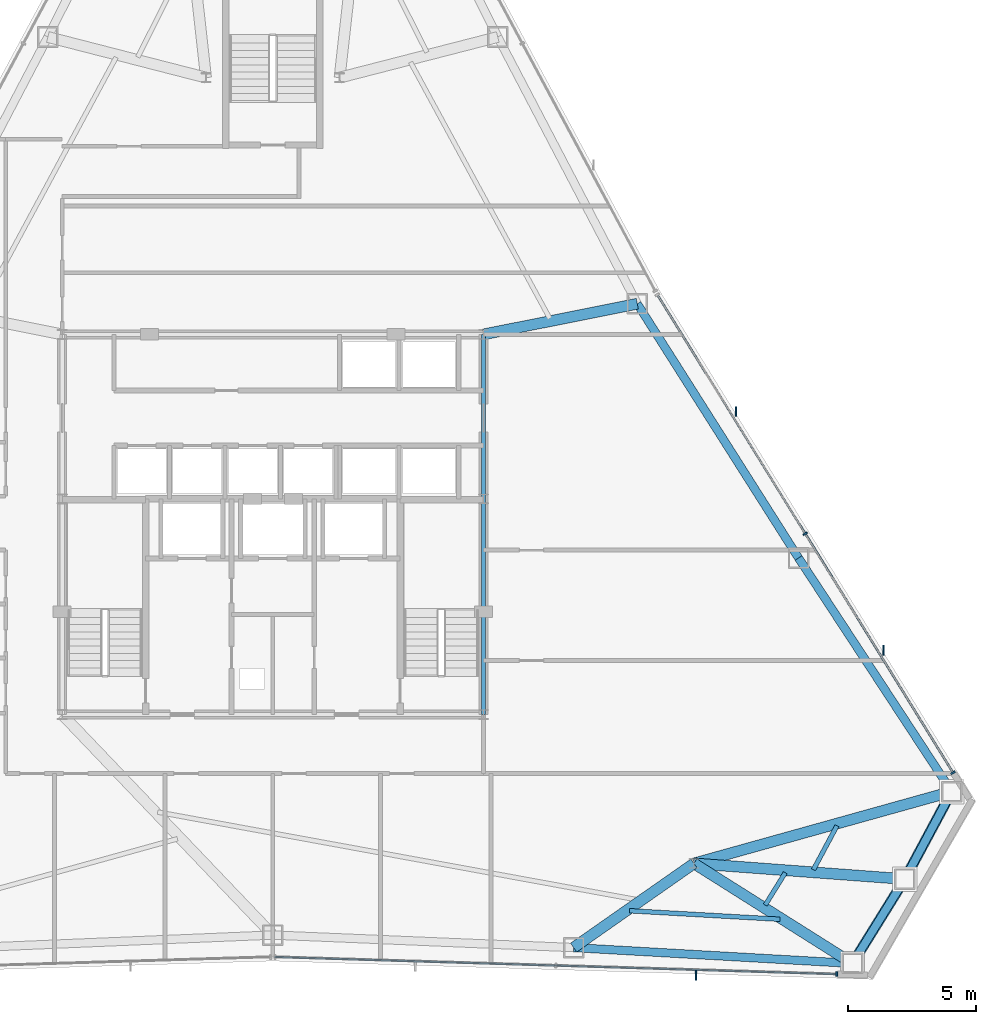
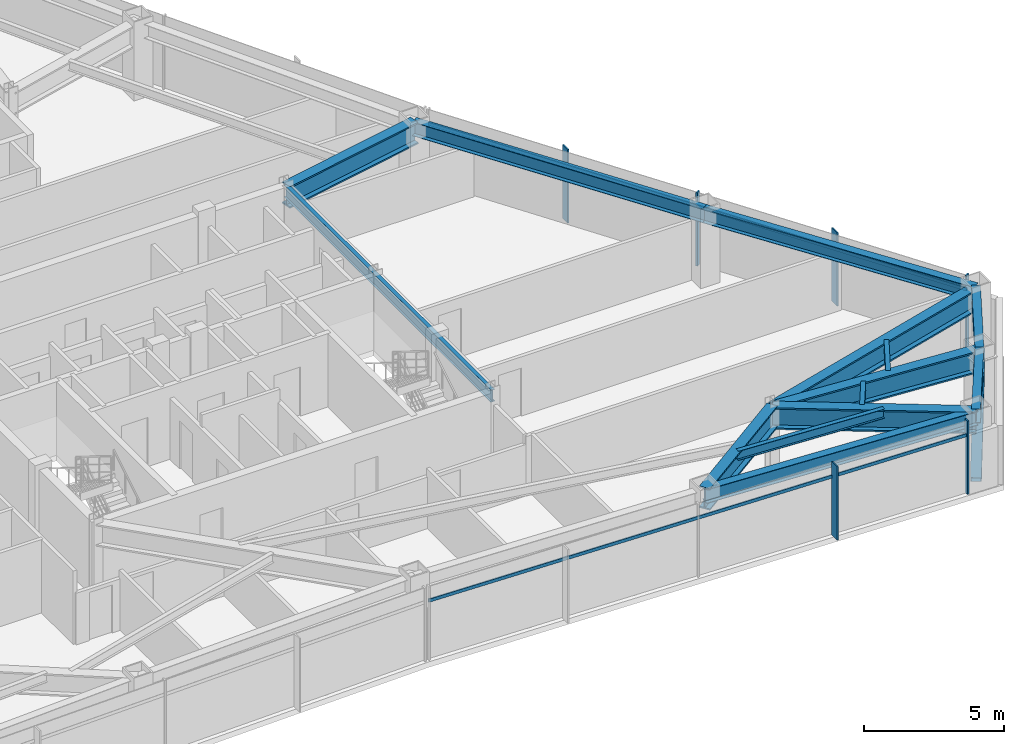
# One storey, part 7 of 13: 14 beams, 10 members, 2 elements without a shape of their own.
"""IFC4 building model written with IfcOpenShell, lengths in metres."""

from ifc_helpers import new_model, si_unit, direction, frame, origin, origin_2d, place, context, subcontext, project, spatial, rectangle, hollow_rectangle, i_section, extrude, source, transform, mapped, material, layer, layer_set, material_profile, profile_set, type_object, type_shapes, element, aggregate, save


model = new_model("IFC4")

# Units and contexts
model_context = context("Model", 3, precision=1e-05, world=origin(), true_north=direction((0.0, 1.0)))
body_context = subcontext(model_context, "Body", "Model", "MODEL_VIEW")
ifc_project = project(units=[si_unit("LENGTHUNIT", "METRE"), si_unit("AREAUNIT", "SQUARE_METRE"), si_unit("VOLUMEUNIT", "CUBIC_METRE"), si_unit("PLANEANGLEUNIT", "RADIAN"), si_unit("MASSUNIT", "GRAM", prefix="KILO")], contexts=[model_context])

# Site, building, storey
site_placement = place(None, origin())
site = spatial("IfcSite", under=ifc_project, at=site_placement, CompositionType="ELEMENT")
building_placement = place(site_placement, origin())
building = spatial("IfcBuilding", under=site, at=building_placement, Name="Varakhsha Concourse Tower", CompositionType="ELEMENT")
storey_placement = place(building_placement, frame((0.0, 0.0, 162.0)))
storey = spatial("IfcBuildingStorey", under=building, at=storey_placement, Name="L46", CompositionType="ELEMENT", Elevation=162.0)

# Beams
ifc_material_1 = material(Name="Structural Steel ASTM A992 Grade 50", Category="steel")
ifc_material_profile_1 = material_profile(ifc_material_1, i_section(OverallWidth=0.177978515625, OverallDepth=0.406982421875, WebThickness=0.008056640625, FlangeThickness=0.012939453125, at=origin_2d()), Name="W16X40")
ifc_profile_set_1 = profile_set([ifc_material_profile_1], Name="Structural Steel ASTM A992 Grade 50")
beam_type_1 = type_object("IfcBeamType", Name="BM-JST-W16X40", PredefinedType="JOIST", material=ifc_profile_set_1)
beam_1_placement = place(storey_placement, frame((53.885498046875, 8.758544921875, 3.006591796875), z_axis=(0.998392580352, -0.056676763308, 0.0), x_axis=(0.056676763308, 0.998392580352, 0.0)))
element("IfcBeam", 1, at=beam_1_placement, inside=storey, type_object=beam_type_1, Name="BM-TJST-L46-12", PredefinedType="JOIST", context=body_context, shape_type="SweptSolid", body=[
    extrude(i_section(OverallWidth=0.177978515625, OverallDepth=0.406982421875, WebThickness=0.008056640625, FlangeThickness=0.012939453125, at=origin_2d()), origin(), (0.0, 0.0, 1.0), 5.871337890625),
])
beam_2_placement = place(storey_placement, frame((59.17431640625, 8.980224609375, 3.006591796875), z_axis=(0.527194551397, 0.84974461162, 0.0), x_axis=(-0.84974461162, 0.527194551397, 0.0)))
element("IfcBeam", 2, at=beam_2_placement, inside=storey, type_object=beam_type_1, Name="BM-TJST-L46-13", PredefinedType="JOIST", context=body_context, shape_type="SweptSolid", body=[
    extrude(i_section(OverallWidth=0.177978515625, OverallDepth=0.406982421875, WebThickness=0.008056640625, FlangeThickness=0.012939453125, at=origin_2d()), origin(), (0.0, 0.0, 1.0), 1.48046875),
])
beam_3_placement = place(storey_placement, frame((61.05029296875, 10.355712890625, 3.006591796875), z_axis=(0.47219702385, 0.881493034951, 0.0), x_axis=(-0.881493034951, 0.47219702385, 0.0)))
element("IfcBeam", 3, at=beam_3_placement, inside=storey, type_object=beam_type_1, Name="BM-TJST-L46-14", PredefinedType="JOIST", context=body_context, shape_type="SweptSolid", body=[
    extrude(i_section(OverallWidth=0.177978515625, OverallDepth=0.406982421875, WebThickness=0.008056640625, FlangeThickness=0.012939453125, at=origin_2d()), origin(), (0.0, 0.0, 1.0), 1.944580078125),
])
ifc_material_profile_2 = material_profile(ifc_material_1, i_section(OverallWidth=0.423095703125, OverallDepth=0.947998046875, WebThickness=0.0380859375, FlangeThickness=0.06396484375, at=origin_2d()), Name="W36X302")
ifc_profile_set_2 = profile_set([ifc_material_profile_2], Name="Structural Steel ASTM A992 Grade 50")
beam_type_2 = type_object("IfcBeamType", Name="BM-OUTR-W36X302", PredefinedType="USERDEFINED", material=ifc_profile_set_2)
beam_4_placement = place(storey_placement, frame((56.39990234375, 10.60009765625, 2.736083984375), z_axis=(-0.81951662418, -0.573055409792, 0.0), x_axis=(0.573055409792, -0.81951662418, 0.0)))
element("IfcBeam", 4, at=beam_4_placement, inside=storey, type_object=beam_type_2, Name="L46 Radial Floor Girder 12", ObjectType="GIRDER", PredefinedType="USERDEFINED", context=body_context, shape_type="SweptSolid", body=[
    extrude(i_section(OverallWidth=0.423095703125, OverallDepth=0.947998046875, WebThickness=0.0380859375, FlangeThickness=0.06396484375, at=origin_2d()), origin(), (0.0, 0.0, 1.0), 5.71875),
])
beam_5_placement = place(storey_placement, frame((56.39990234375, 10.60009765625, 2.736083984375), z_axis=(0.845822577747, -0.533464307123, 0.0), x_axis=(0.533464307123, 0.845822577747, 0.0)))
element("IfcBeam", 5, at=beam_5_placement, inside=storey, type_object=beam_type_2, Name="L46 Radial Floor Girder 13", ObjectType="GIRDER", PredefinedType="USERDEFINED", context=body_context, shape_type="SweptSolid", body=[
    extrude(i_section(OverallWidth=0.423095703125, OverallDepth=0.947998046875, WebThickness=0.0380859375, FlangeThickness=0.06396484375, at=origin_2d()), origin(), (0.0, 0.0, 1.0), 7.298583984375),
])
beam_6_placement = place(storey_placement, frame((56.39990234375, 10.60009765625, 2.736083984375), z_axis=(0.99725755111, -0.074009301804, 0.0), x_axis=(0.074009301804, 0.99725755111, 0.0)))
element("IfcBeam", 6, at=beam_6_placement, inside=storey, type_object=beam_type_2, Name="L46 Radial Floor Girder 14", ObjectType="GIRDER", PredefinedType="USERDEFINED", context=body_context, shape_type="SweptSolid", body=[
    extrude(i_section(OverallWidth=0.423095703125, OverallDepth=0.947998046875, WebThickness=0.0380859375, FlangeThickness=0.06396484375, at=origin_2d()), origin(), (0.0, 0.0, 1.0), 8.233642578125),
])
beam_7_placement = place(storey_placement, frame((56.39990234375, 10.60009765625, 2.736083984375), z_axis=(0.963276818964, 0.268510279221, 0.0), x_axis=(-0.268510279221, 0.963276818964, 0.0)))
element("IfcBeam", 7, at=beam_7_placement, inside=storey, type_object=beam_type_2, Name="L46 Radial Floor Girder 15", ObjectType="GIRDER", PredefinedType="USERDEFINED", context=body_context, shape_type="SweptSolid", body=[
    extrude(i_section(OverallWidth=0.423095703125, OverallDepth=0.947998046875, WebThickness=0.0380859375, FlangeThickness=0.06396484375, at=origin_2d()), origin(), (0.0, 0.0, 1.0), 10.4189453125),
])
beam_8_placement = place(storey_placement, frame((48.199951171875, 31.199951171875, 2.736083984375), z_axis=(0.980724872564, 0.195393767391, 0.0), x_axis=(-0.195393767391, 0.980724872564, 0.0)))
element("IfcBeam", 8, at=beam_8_placement, inside=storey, type_object=beam_type_2, Name="L46 Radial Floor Girder 17", ObjectType="GIRDER", PredefinedType="USERDEFINED", context=body_context, shape_type="SweptSolid", body=[
    extrude(i_section(OverallWidth=0.423095703125, OverallDepth=0.947998046875, WebThickness=0.0380859375, FlangeThickness=0.06396484375, at=origin_2d()), origin(), (0.0, 0.0, 1.0), 6.10986328125),
])
ifc_material_profile_3 = material_profile(ifc_material_1, i_section(OverallWidth=0.1669921875, OverallDepth=0.534912109375, WebThickness=0.010009765625, FlangeThickness=0.01708984375, at=origin_2d()), Name="W21X57")
ifc_profile_set_3 = profile_set([ifc_material_profile_3], Name="Structural Steel ASTM A992 Grade 50")
beam_type_3 = type_object("IfcBeamType", Name="BM-RAD-W21X57", PredefinedType="BEAM", material=ifc_profile_set_3)
beam_9_placement = place(storey_placement, frame((48.199951171875, 16.39990234375, 2.9423828125), z_axis=(0.0, 1.0, 0.0), x_axis=(-1.0, 0.0, 0.0)))
element("IfcBeam", 9, at=beam_9_placement, inside=storey, type_object=beam_type_3, Name="BM-TCORE-L46-CE", PredefinedType="BEAM", context=body_context, shape_type="SweptSolid", body=[
    extrude(i_section(OverallWidth=0.1669921875, OverallDepth=0.534912109375, WebThickness=0.010009765625, FlangeThickness=0.01708984375, at=origin_2d()), origin(), (0.0, 0.0, 1.0), 14.800048828125),
])
ifc_material_profile_4 = material_profile(ifc_material_1, i_section(OverallWidth=0.323974609375, OverallDepth=0.611083984375, WebThickness=0.012939453125, FlangeThickness=0.01904296875, at=origin_2d()), Name="W24X104")
ifc_profile_set_4 = profile_set([ifc_material_profile_4], Name="Structural Steel ASTM A992 Grade 50")
beam_type_4 = type_object("IfcBeamType", Name="BM-SPAN-W24X104", PredefinedType="SPANDREL", material=ifc_profile_set_4)
beam_10_placement = place(storey_placement, frame((51.71337890625, 7.322998046875, 2.904541015625), z_axis=(0.998392776911, -0.056673300699, 0.0), x_axis=(0.056673300699, 0.998392776911, 0.0)))
element("IfcBeam", 10, at=beam_10_placement, inside=storey, type_object=beam_type_4, Name="BM-SPAN-L46-12", PredefinedType="SPANDREL", context=body_context, shape_type="SweptSolid", body=[
    extrude(i_section(OverallWidth=0.323974609375, OverallDepth=0.611083984375, WebThickness=0.012939453125, FlangeThickness=0.01904296875, at=origin_2d()), origin(), (0.0, 0.0, 1.0), 10.87744140625),
])
for number, where, z_axis, x_axis, name in (
    (11, (62.5732421875, 6.70654296875, 2.904541015625), (0.52724807345, 0.849711403385, 0.0), (-0.849711403385, 0.52724807345, 0.0), "BM-SPAN-L46-13"),
    (12, (64.611083984375, 9.99072265625, 2.904541015625), (0.472226671097, 0.881477152911, 0.0), (-0.881477152911, 0.472226671097, 0.0), "BM-SPAN-L46-14"),
):
    element("IfcBeam", number, at=place(storey_placement, frame(where, z_axis=z_axis, x_axis=x_axis)), inside=storey, type_object=beam_type_4, Name=name, PredefinedType="SPANDREL", context=body_context, shape_type="SweptSolid", body=[
        extrude(i_section(OverallWidth=0.323974609375, OverallDepth=0.611083984375, WebThickness=0.012939453125, FlangeThickness=0.01904296875, at=origin_2d()), origin(), (0.0, 0.0, 1.0), 3.864990234375),
    ])
beam_11_placement = place(storey_placement, frame((66.436279296875, 13.397705078125, 2.904541015625), z_axis=(-0.548266128306, 0.836303923555, 0.0), x_axis=(-0.836303923555, -0.548266128306, 0.0)))
element("IfcBeam", 13, at=beam_11_placement, inside=storey, type_object=beam_type_4, Name="BM-SPAN-L46-15", PredefinedType="SPANDREL", context=body_context, shape_type="SweptSolid", body=[
    extrude(i_section(OverallWidth=0.323974609375, OverallDepth=0.611083984375, WebThickness=0.012939453125, FlangeThickness=0.01904296875, at=origin_2d()), origin(), (0.0, 0.0, 1.0), 10.877197265625),
])
beam_12_placement = place(storey_placement, frame((60.47265625, 22.494384765625, 2.904541015625), z_axis=(-0.535714805069, 0.844398986043, 0.0), x_axis=(-0.844398986043, -0.535714805069, 0.0)))
element("IfcBeam", 14, at=beam_12_placement, inside=storey, type_object=beam_type_4, Name="BM-SPAN-L46-16", PredefinedType="SPANDREL", context=body_context, shape_type="SweptSolid", body=[
    extrude(i_section(OverallWidth=0.323974609375, OverallDepth=0.611083984375, WebThickness=0.012939453125, FlangeThickness=0.01904296875, at=origin_2d()), origin(), (0.0, 0.0, 1.0), 11.7236328125),
])

# Members
ifc_material_2 = material(Name="Structural Steel ASTM A500 Grade C", Category="steel")
ifc_material_profile_5 = material_profile(ifc_material_2, hollow_rectangle(XDim=0.39990234375, YDim=0.39990234375, WallThickness=0.01611328125, at=origin_2d()), Name="HSS 400x400x16")
ifc_profile_set_5 = profile_set([ifc_material_profile_5], Name="Structural Steel ASTM A500 Grade C")
member_type_1 = type_object("IfcMemberType", Name="MB-TUBE-HSS400", PredefinedType="BRACE", material=ifc_profile_set_5)
shared_shape_1 = source(origin(), body_context, "Body", "SweptSolid", [
    extrude(hollow_rectangle(XDim=0.39990234375, YDim=0.39990234375, WallThickness=0.01611328125, at=origin_2d()), origin(), (0.0, 0.0, 1.0), 4.7666015625),
])
member_1_placement = place(storey_placement, frame((62.5732421875, 6.70654296875, 0.1201171875), z_axis=(0.427514742293, 0.688981467992, 0.585265479835), x_axis=(-0.849711403385, 0.52724807345, 0.0)))
element("IfcMember", 15, at=member_1_placement, inside=storey, type_object=member_type_1, Name="L46 Wind-Corner Tube Brace B05", PredefinedType="BRACE", context=body_context, shape_type="MappedRepresentation", body=[
    mapped(shared_shape_1, transform((0.0, 0.0, 0.0), scale=1.0)),
])
shared_shape_2 = source(origin(), body_context, "Body", "SweptSolid", [
    extrude(hollow_rectangle(XDim=0.39990234375, YDim=0.39990234375, WallThickness=0.01611328125, at=origin_2d()), origin(), (0.0, 0.0, 1.0), 4.766845703125),
])
type_shapes(member_type_1, [shared_shape_1, shared_shape_2])
member_2_placement = place(storey_placement, frame((66.436279296875, 13.397705078125, 0.1201171875), z_axis=(-0.382902110293, -0.714740362379, 0.585262495228), x_axis=(0.881477152911, -0.472226671097, 0.0)))
element("IfcMember", 16, at=member_2_placement, inside=storey, type_object=member_type_1, Name="L46 Wind-Corner Tube Brace B06", PredefinedType="BRACE", context=body_context, shape_type="MappedRepresentation", body=[
    mapped(shared_shape_2, transform((0.0, 0.0, 0.0), scale=1.0)),
])

# Curtain wall, member
ifc_material_3 = material(Name="Anodised Bronze Architectural Aluminium AA 6063-T6", Category="aluminium")
ifc_layer = layer(ifc_material_3, 0.2099609375, Name="CW-SYS-04")
ifc_layer_set = layer_set([ifc_layer], Name="Anodised Bronze Architectural Aluminium AA 6063-T6")
curtain_wall_type = type_object("IfcCurtainWallType", Name="CW-SYS-04", PredefinedType="NOTDEFINED", material=ifc_layer_set)
curtain_wall_1_placement = place(storey_placement, origin())
curtain_wall_1 = element("IfcCurtainWall", 17, at=curtain_wall_1_placement, inside=storey, type_object=curtain_wall_type, Name="L46 Crystal Curtain Wall F6", PredefinedType="NOTDEFINED")
ifc_material_profile_6 = material_profile(ifc_material_3, rectangle(XDim=0.06005859375, YDim=0.3798828125, at=origin_2d()), Name="FIN-BRZ-380")
ifc_profile_set_6 = profile_set([ifc_material_profile_6], Name="Anodised Bronze Architectural Aluminium AA 6063-T6")
member_type_2 = type_object("IfcMemberType", Name="FIN-BRZ-380", PredefinedType="USERDEFINED", material=ifc_profile_set_6)
shared_shape_3 = source(origin(), body_context, "Body", "SweptSolid", [
    extrude(rectangle(XDim=0.06005859375, YDim=0.3798828125, at=origin_2d()), origin(), (0.0, 0.0, 1.0), 3.2099609375),
])
type_shapes(member_type_2, [shared_shape_3])
member_3_placement = place(storey_placement, frame((56.48388671875, 6.251953125, 0.0), z_axis=(0.0, 0.0, 1.0), x_axis=(1.0, 0.0, 0.0)))
member_3 = element("IfcMember", 18, at=member_3_placement, type_object=member_type_2, Name="L46 Anodised Bronze Solar Fin F6-1", ObjectType="SOLAR FIN", PredefinedType="USERDEFINED", context=body_context, shape_type="MappedRepresentation", body=[
    mapped(shared_shape_3, transform((0.0, 0.0, 0.0), scale=1.0)),
])

# Curtain wall, members
curtain_wall_2_placement = place(storey_placement, origin())
curtain_wall_2 = element("IfcCurtainWall", 19, at=curtain_wall_2_placement, inside=storey, type_object=curtain_wall_type, Name="L46 Crystal Curtain Wall F8", PredefinedType="NOTDEFINED")
member_4_placement = place(storey_placement, frame((58.02783203125, 28.203125, 0.0), z_axis=(0.0, 0.0, 1.0), x_axis=(1.0, 0.0, 0.0)))
member_4 = element("IfcMember", 20, at=member_4_placement, type_object=member_type_2, Name="L46 Anodised Bronze Solar Fin F8-1", ObjectType="SOLAR FIN", PredefinedType="USERDEFINED", context=body_context, shape_type="MappedRepresentation", body=[
    mapped(shared_shape_3, transform((0.0, 0.0, 0.0), scale=1.0)),
])
member_5_placement = place(storey_placement, frame((63.785400390625, 18.8984375, 0.0), z_axis=(0.0, 0.0, 1.0), x_axis=(1.0, 0.0, 0.0)))
member_5 = element("IfcMember", 21, at=member_5_placement, type_object=member_type_2, Name="L46 Anodised Bronze Solar Fin F8-2", ObjectType="SOLAR FIN", PredefinedType="USERDEFINED", context=body_context, shape_type="MappedRepresentation", body=[
    mapped(shared_shape_3, transform((0.0, 0.0, 0.0), scale=1.0)),
])

# Member
ifc_material_profile_7 = material_profile(ifc_material_3, rectangle(XDim=0.06494140625, YDim=0.179931640625, at=origin_2d()), Name="CWM-180X65")
ifc_profile_set_7 = profile_set([ifc_material_profile_7], Name="Anodised Bronze Architectural Aluminium AA 6063-T6")
member_type_3 = type_object("IfcMemberType", Name="CWM-180X65", PredefinedType="MULLION", material=ifc_profile_set_7)
shared_shape_4 = source(origin(), body_context, "Body", "SweptSolid", [
    extrude(rectangle(XDim=0.06494140625, YDim=0.179931640625, at=origin_2d()), origin(), (0.0, 0.0, 1.0), 3.2099609375),
])
type_shapes(member_type_3, [shared_shape_4])
member_6_placement = place(storey_placement, frame((61.958740234375, 6.289794921875, 0.0), z_axis=(0.0, 0.0, 1.0), x_axis=(-0.999534017137, 0.030524557085, 0.0)))
member_6 = element("IfcMember", 22, at=member_6_placement, type_object=member_type_3, Name="CW-L46-F6 Mullion 00", PredefinedType="MULLION", context=body_context, shape_type="MappedRepresentation", body=[
    mapped(shared_shape_4, transform((0.0, 0.0, 0.0), scale=1.0)),
])

member_7_placement = place(storey_placement, frame((60.732421875, 23.44287109375, 0.0), z_axis=(0.0, 0.0, 1.0), x_axis=(0.526199082126, -0.850361409032, 0.0)))
member_7 = element("IfcMember", 23, at=member_7_placement, type_object=member_type_3, Name="CW-L46-F8 Mullion 01", PredefinedType="MULLION", context=body_context, shape_type="MappedRepresentation", body=[
    mapped(shared_shape_4, transform((0.0, 0.0, 0.0), scale=1.0)),
])

member_8_placement = place(storey_placement, frame((66.489990234375, 14.13818359375, 0.0), z_axis=(0.0, 0.0, 1.0), x_axis=(0.526199082126, -0.850361409032, 0.0)))
member_8 = element("IfcMember", 24, at=member_8_placement, type_object=member_type_3, Name="CW-L46-F8 Mullion 02", PredefinedType="MULLION", context=body_context, shape_type="MappedRepresentation", body=[
    mapped(shared_shape_4, transform((0.0, 0.0, 0.0), scale=1.0)),
])

ifc_material_profile_8 = material_profile(ifc_material_3, rectangle(XDim=0.06005859375, YDim=0.139892578125, at=origin_2d()), Name="CWT-140X60")
ifc_profile_set_8 = profile_set([ifc_material_profile_8], Name="Anodised Bronze Architectural Aluminium AA 6063-T6")
member_type_4 = type_object("IfcMemberType", Name="CWT-140X60", PredefinedType="USERDEFINED", material=ifc_profile_set_8)
shared_shape_5 = source(origin(), body_context, "Body", "SweptSolid", [
    extrude(rectangle(XDim=0.06005859375, YDim=0.139892578125, at=origin_2d()), origin(), (0.0, 0.0, 1.0), 21.88427734375),
])
member_9_placement = place(storey_placement, frame((61.958740234375, 6.289794921875, 2.56005859375), z_axis=(-0.999534069287, 0.030522849386, 0.0), x_axis=(-0.030522849386, -0.999534069287, 0.0)))
member_9 = element("IfcMember", 25, at=member_9_placement, type_object=member_type_4, Name="CW-L46-F6 Transom 01", ObjectType="TRANSOM", PredefinedType="USERDEFINED", context=body_context, shape_type="MappedRepresentation", body=[
    mapped(shared_shape_5, transform((0.0, 0.0, 0.0), scale=1.0)),
])

aggregate(curtain_wall_1, [member_6, member_9, member_3])

shared_shape_6 = source(origin(), body_context, "Body", "SweptSolid", [
    extrude(rectangle(XDim=0.06005859375, YDim=0.139892578125, at=origin_2d()), origin(), (0.0, 0.0, 1.0), 21.884033203125),
])
type_shapes(member_type_4, [shared_shape_5, shared_shape_6])
member_10_placement = place(storey_placement, frame((54.974609375, 32.74755859375, 2.56005859375), z_axis=(0.526199060722, -0.850361422276, 0.0), x_axis=(0.850361422276, 0.526199060722, 0.0)))
member_10 = element("IfcMember", 26, at=member_10_placement, type_object=member_type_4, Name="CW-L46-F8 Transom 01", ObjectType="TRANSOM", PredefinedType="USERDEFINED", context=body_context, shape_type="MappedRepresentation", body=[
    mapped(shared_shape_6, transform((0.0, 0.0, 0.0), scale=1.0)),
])

aggregate(curtain_wall_2, [member_7, member_8, member_10, member_4, member_5])

save(model, "model.ifc")
